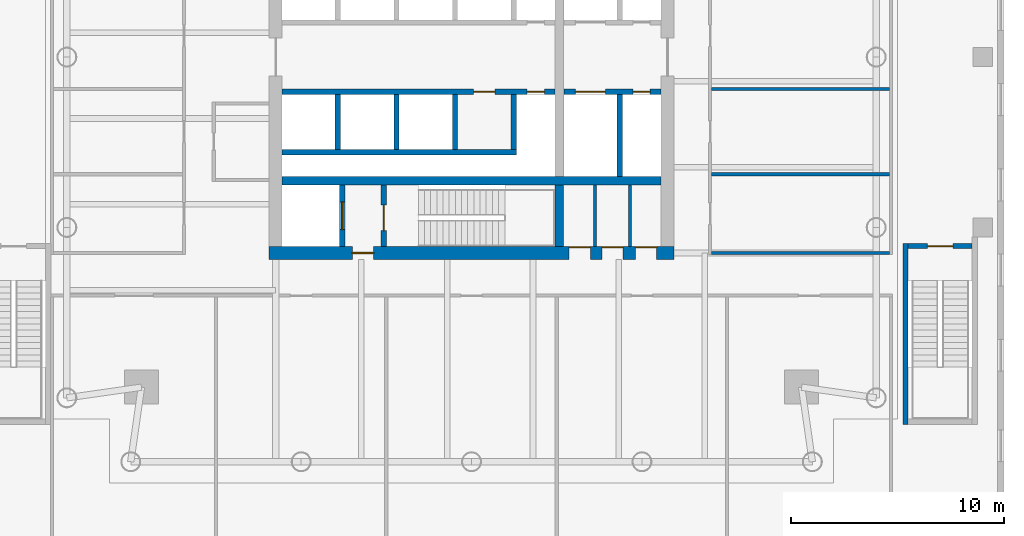
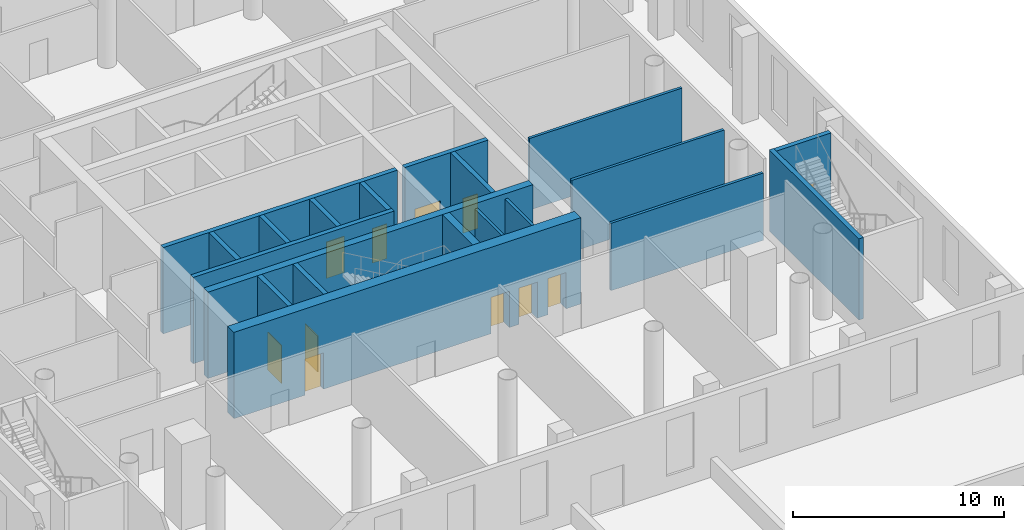
# One storey, part 14 of 23: 20 walls, 11 doors, 11 openings.
"""IFC4 building model written with IfcOpenShell, lengths in metres."""

from ifc_helpers import new_model, si_unit, direction, frame, frame_2d, origin, place, context, subcontext, project, spatial, rectangle, extrude, material, layer, layer_set, type_object, element, fill, save


model = new_model("IFC4")

# Units and contexts
model_context = context("Model", 3, precision=1e-05, world=origin(), true_north=direction((0.0, 1.0)))
body_context = subcontext(model_context, "Body", "Model", "MODEL_VIEW")
ifc_project = project(units=[si_unit("LENGTHUNIT", "METRE"), si_unit("AREAUNIT", "SQUARE_METRE"), si_unit("VOLUMEUNIT", "CUBIC_METRE"), si_unit("PLANEANGLEUNIT", "RADIAN"), si_unit("MASSUNIT", "GRAM", prefix="KILO")], contexts=[model_context])

# Site, building, storey
site_placement = place(None, origin())
site = spatial("IfcSite", under=ifc_project, at=site_placement, CompositionType="ELEMENT")
building_placement = place(site_placement, origin())
building = spatial("IfcBuilding", under=site, at=building_placement, Name="Ostroluk Exchange", CompositionType="ELEMENT")
storey_placement = place(building_placement, frame((0.0, 0.0, 11.0)))
storey = spatial("IfcBuildingStorey", under=building, at=storey_placement, Name="L02", CompositionType="ELEMENT", Elevation=11.0)

# Walls
ifc_material_1 = material(Name="Concrete blockwork", Category="masonry")
ifc_layer_1 = layer(ifc_material_1, 0.14990234375)
ifc_layer_set_1 = layer_set([ifc_layer_1], Name="Blockwork plant room wall 150")
wall_type_1 = type_object("IfcWallType", Name="Blockwork plant room wall 150", PredefinedType="SOLIDWALL", material=ifc_layer_set_1)
for number, where, z_axis, x_axis, name in (
    (1, (122.79248046875, 37.10009765625, 0.0), (0.0, 0.0, 1.0), (0.0, 1.0, 0.0), "Core room wall"),
    (2, (124.4375, 37.10009765625, 0.0), (0.0, 0.0, 1.0), (0.0, 1.0, 0.0), "Core room wall"),
):
    element("IfcWall", number, at=place(storey_placement, frame(where, z_axis=z_axis, x_axis=x_axis)), inside=storey, type_object=wall_type_1, Name=name, PredefinedType="SOLIDWALL", context=body_context, shape_type="SweptSolid", body=[
        extrude(rectangle(XDim=2.89990234375, YDim=0.14990234375, at=frame_2d((1.449951171875, 0.0))), origin(), (0.0, 0.0, 1.0), 4.699951171875),
    ])
ifc_material_2 = material(Name="Concrete blockwork", Category="masonry")
ifc_layer_2 = layer(ifc_material_2, 0.25)
ifc_layer_set_2 = layer_set([ifc_layer_2], Name="Blockwork stair enclosure wall 250")
wall_type_2 = type_object("IfcWallType", Name="Blockwork stair enclosure wall 250", PredefinedType="SOLIDWALL", material=ifc_layer_set_2)
wall_1_placement = place(storey_placement, frame((137.375, 28.75, 0.0), z_axis=(0.0, 0.0, 1.0), x_axis=(0.0, 1.0, 0.0)))
element("IfcWall", 3, at=wall_1_placement, inside=storey, type_object=wall_type_2, Name="Stair PS7 enclosure wall", PredefinedType="SOLIDWALL", context=body_context, shape_type="SweptSolid", body=[
    extrude(rectangle(XDim=8.5, YDim=0.25, at=frame_2d((4.25, 0.0))), origin(), (0.0, 0.0, 1.0), 4.699951171875),
])

# Wall, opening, door
wall_2_placement = place(storey_placement, frame((137.5, 37.125, 0.0), z_axis=(0.0, 0.0, 1.0), x_axis=(1.0, 0.0, 0.0)))
wall_2 = element("IfcWall", 4, at=wall_2_placement, inside=storey, type_object=wall_type_2, Name="Stair PS7 enclosure wall", PredefinedType="SOLIDWALL", context=body_context, shape_type="SweptSolid", body=[
    extrude(rectangle(XDim=3.0, YDim=0.25, at=frame_2d((1.5, 0.0))), origin(), (0.0, 0.0, 1.0), 4.699951171875),
])
opening_1_placement = place(wall_2_placement, frame((0.89990234375, 0.0, 0.0)))
opening_1 = element("IfcOpeningElement", 5, at=opening_1_placement, cuts=wall_2, Name="Opening FD60S", PredefinedType="OPENING", context=body_context, shape_type="SweptSolid", body=[
    extrude(rectangle(XDim=1.199951171875, YDim=2.10009765625, at=frame_2d((0.60009765625, 1.050048828125))), frame((0.0, 0.135009765625, 0.0), z_axis=(0.0, -1.0, 0.0), x_axis=(1.0, 0.0, 0.0)), (0.0, 0.0, 1.0), 0.27001953125),
])
ifc_material_3 = material(Name="Steel", Category="steel")
door_type_1 = type_object("IfcDoorType", Name="Stair door EI 60 1200 x 2100", OperationType="SINGLE_SWING_LEFT", PredefinedType="DOOR", material=ifc_material_3)
door_1_placement = place(opening_1_placement, origin())
door_1 = element("IfcDoor", 6, at=door_1_placement, inside=storey, type_object=door_type_1, Name="Stair PS7 door", OperationType="SINGLE_SWING_LEFT", OverallHeight=2.10009765625, OverallWidth=1.199951171875, PredefinedType="DOOR", context=body_context, shape_type="SweptSolid", body=[
    extrude(rectangle(XDim=1.199951171875, YDim=2.10009765625, at=frame_2d((0.60009765625, 1.050048828125))), frame((0.0, 0.02490234375, 0.0), z_axis=(0.0, -1.0, 0.0), x_axis=(1.0, 0.0, 0.0)), (0.0, 0.0, 1.0), 0.050048828125),
])
fill(opening_1, door_1)

# Walls
ifc_material_4 = material(Name="Concrete C50/60", Category="concrete")
ifc_layer_3 = layer(ifc_material_4, 0.39990234375)
ifc_layer_set_3 = layer_set([ifc_layer_3], Name="Core cross wall 400 C50/60")
wall_type_3 = type_object("IfcWallType", Name="Core cross wall 400 C50/60", PredefinedType="SHEAR", material=ifc_layer_set_3)
wall_3_placement = place(storey_placement, frame((108.10009765625, 40.199951171875, 0.0), z_axis=(0.0, 0.0, 1.0), x_axis=(1.0, 0.0, 0.0)))
element("IfcWall", 7, at=wall_3_placement, inside=storey, type_object=wall_type_3, Name="T2 core wall XS", PredefinedType="SHEAR", context=body_context, shape_type="SweptSolid", body=[
    extrude(rectangle(XDim=17.7998046875, YDim=0.39990234375, at=frame_2d((8.89990234375, 0.0))), origin(), (0.0, 0.0, 1.0), 5.0),
])
wall_4_placement = place(storey_placement, frame((121.1298828125, 37.10009765625, 0.0), z_axis=(0.0, 0.0, 1.0), x_axis=(0.0, 1.0, 0.0)))
element("IfcWall", 8, at=wall_4_placement, inside=storey, type_object=wall_type_3, Name="T2 core wall YE1", PredefinedType="SHEAR", context=body_context, shape_type="SweptSolid", body=[
    extrude(rectangle(XDim=2.89990234375, YDim=0.39990234375, at=frame_2d((1.449951171875, 0.0))), origin(), (0.0, 0.0, 1.0), 5.0),
])

# Wall, opening, door
ifc_material_5 = material(Name="Concrete C40/50", Category="concrete")
ifc_layer_4 = layer(ifc_material_5, 0.25)
ifc_layer_set_4 = layer_set([ifc_layer_4], Name="Core shaft wall 250")
wall_type_4 = type_object("IfcWallType", Name="Core shaft wall 250", PredefinedType="SHEAR", material=ifc_layer_set_4)
wall_5_placement = place(storey_placement, frame((110.925048828125, 37.10009765625, 0.0), z_axis=(0.0, 0.0, 1.0), x_axis=(0.0, 1.0, 0.0)))
wall_5 = element("IfcWall", 9, at=wall_5_placement, inside=storey, type_object=wall_type_4, Name="Firefighting lift shaft wall", PredefinedType="SHEAR", context=body_context, shape_type="SweptSolid", body=[
    extrude(rectangle(XDim=2.89990234375, YDim=0.25, at=frame_2d((1.449951171875, 0.0))), origin(), (0.0, 0.0, 1.0), 5.0),
])
opening_2_placement = place(wall_5_placement, frame((0.800048828125, 0.0, 0.0)))
opening_2 = element("IfcOpeningElement", 10, at=opening_2_placement, cuts=wall_5, Name="Opening LD2", PredefinedType="OPENING", context=body_context, shape_type="SweptSolid", body=[
    extrude(rectangle(XDim=1.300048828125, YDim=2.199951171875, at=frame_2d((0.64990234375, 1.10009765625))), frame((0.0, 0.135009765625, 0.0), z_axis=(0.0, -1.0, 0.0), x_axis=(1.0, 0.0, 0.0)), (0.0, 0.0, 1.0), 0.27001953125),
])
ifc_material_6 = material(Name="Stainless steel", Category="steel")
door_type_2 = type_object("IfcDoorType", Name="Lift landing door E 60 1300 x 2200", OperationType="DOUBLE_DOOR_SLIDING", PredefinedType="DOOR", material=ifc_material_6)
door_2_placement = place(opening_2_placement, origin())
door_2 = element("IfcDoor", 11, at=door_2_placement, inside=storey, type_object=door_type_2, Name="Lift HF1 landing door", OperationType="DOUBLE_DOOR_SLIDING", OverallHeight=2.199951171875, OverallWidth=1.300048828125, PredefinedType="DOOR", context=body_context, shape_type="SweptSolid", body=[
    extrude(rectangle(XDim=1.300048828125, YDim=2.199951171875, at=frame_2d((0.64990234375, 1.10009765625))), frame((0.0, 0.02490234375, 0.0), z_axis=(0.0, -1.0, 0.0), x_axis=(1.0, 0.0, 0.0)), (0.0, 0.0, 1.0), 0.050048828125),
])
fill(opening_2, door_2)

wall_6_placement = place(storey_placement, frame((112.875, 37.10009765625, 0.0), z_axis=(0.0, 0.0, 1.0), x_axis=(0.0, 1.0, 0.0)))
wall_6 = element("IfcWall", 12, at=wall_6_placement, inside=storey, type_object=wall_type_4, Name="Stair shaft wall", PredefinedType="SHEAR", context=body_context, shape_type="SweptSolid", body=[
    extrude(rectangle(XDim=2.89990234375, YDim=0.25, at=frame_2d((1.449951171875, 0.0))), origin(), (0.0, 0.0, 1.0), 5.0),
])
opening_3_placement = place(wall_6_placement, frame((0.75, 0.0, 0.0)))
opening_3 = element("IfcOpeningElement", 13, at=opening_3_placement, cuts=wall_6, Name="Opening FD60S", PredefinedType="OPENING", context=body_context, shape_type="SweptSolid", body=[
    extrude(rectangle(XDim=1.199951171875, YDim=2.10009765625, at=frame_2d((0.60009765625, 1.050048828125))), frame((0.0, 0.135009765625, 0.0), z_axis=(0.0, -1.0, 0.0), x_axis=(1.0, 0.0, 0.0)), (0.0, 0.0, 1.0), 0.27001953125),
])
door_3_placement = place(opening_3_placement, origin())
door_3 = element("IfcDoor", 14, at=door_3_placement, inside=storey, type_object=door_type_1, Name="Stair T2-S1 door", OperationType="SINGLE_SWING_LEFT", OverallHeight=2.10009765625, OverallWidth=1.199951171875, PredefinedType="DOOR", context=body_context, shape_type="SweptSolid", body=[
    extrude(rectangle(XDim=1.199951171875, YDim=2.10009765625, at=frame_2d((0.60009765625, 1.050048828125))), frame((0.0, 0.02490234375, 0.0), z_axis=(0.0, -1.0, 0.0), x_axis=(1.0, 0.0, 0.0)), (0.0, 0.0, 1.0), 0.050048828125),
])
fill(opening_3, door_3)

# Walls
for number, where, z_axis, x_axis, name in (
    (15, (110.72509765625, 44.25, 0.0), (0.0, 0.0, 1.0), (0.0, -1.0, 0.0), "Lift shaft wall"),
    (16, (113.47509765625, 44.25, 0.0), (0.0, 0.0, 1.0), (0.0, -1.0, 0.0), "Lift shaft wall"),
    (17, (116.22509765625, 44.25, 0.0), (0.0, 0.0, 1.0), (0.0, -1.0, 0.0), "Lift shaft wall"),
    (18, (118.97509765625, 44.25, 0.0), (0.0, 0.0, 1.0), (0.0, -1.0, 0.0), "Lift shaft wall"),
):
    element("IfcWall", number, at=place(storey_placement, frame(where, z_axis=z_axis, x_axis=x_axis)), inside=storey, type_object=wall_type_4, Name=name, PredefinedType="SHEAR", context=body_context, shape_type="SweptSolid", body=[
        extrude(rectangle(XDim=2.60009765625, YDim=0.25, at=frame_2d((1.300048828125, 0.0))), origin(), (0.0, 0.0, 1.0), 5.0),
    ])
wall_7_placement = place(storey_placement, frame((108.10009765625, 41.52490234375, 0.0), z_axis=(0.0, 0.0, 1.0), x_axis=(1.0, 0.0, 0.0)))
element("IfcWall", 19, at=wall_7_placement, inside=storey, type_object=wall_type_4, Name="Lift shaft wall", PredefinedType="SHEAR", context=body_context, shape_type="SweptSolid", body=[
    extrude(rectangle(XDim=11.0, YDim=0.25, at=frame_2d((5.5, 0.0))), origin(), (0.0, 0.0, 1.0), 5.0),
])

# Wall, openings, doors
wall_8_placement = place(storey_placement, frame((108.10009765625, 44.375, 0.0), z_axis=(0.0, 0.0, 1.0), x_axis=(1.0, 0.0, 0.0)))
wall_8 = element("IfcWall", 20, at=wall_8_placement, inside=storey, type_object=wall_type_4, Name="Lift shaft front wall", PredefinedType="SHEAR", context=body_context, shape_type="SweptSolid", body=[
    extrude(rectangle(XDim=12.829833984375, YDim=0.25, at=frame_2d((6.4150390625, 0.0))), origin(), (0.0, 0.0, 1.0), 5.0),
])
opening_4_placement = place(wall_8_placement, frame((9.0, 0.0, 0.0)))
opening_4 = element("IfcOpeningElement", 21, at=opening_4_placement, cuts=wall_8, Name="Opening FD60", PredefinedType="OPENING", context=body_context, shape_type="SweptSolid", body=[
    extrude(rectangle(XDim=1.0, YDim=2.10009765625, at=frame_2d((0.5, 1.050048828125))), frame((0.0, 0.135009765625, 0.0), z_axis=(0.0, -1.0, 0.0), x_axis=(1.0, 0.0, 0.0)), (0.0, 0.0, 1.0), 0.27001953125),
])
opening_5_placement = place(wall_8_placement, frame((11.514892578125, 0.0, 0.0)))
opening_5 = element("IfcOpeningElement", 22, at=opening_5_placement, cuts=wall_8, Name="Opening RD60", PredefinedType="OPENING", context=body_context, shape_type="SweptSolid", body=[
    extrude(rectangle(XDim=0.800048828125, YDim=2.0, at=frame_2d((0.39990234375, 1.0))), frame((0.0, 0.135009765625, 0.0), z_axis=(0.0, -1.0, 0.0), x_axis=(1.0, 0.0, 0.0)), (0.0, 0.0, 1.0), 0.27001953125),
])
ifc_material_7 = material(Name="Steel", Category="steel")
door_type_3 = type_object("IfcDoorType", Name="Fire door EI 60 1000 x 2100", OperationType="SINGLE_SWING_LEFT", PredefinedType="DOOR", material=ifc_material_7)
door_4_placement = place(opening_4_placement, origin())
door_4 = element("IfcDoor", 23, at=door_4_placement, inside=storey, type_object=door_type_3, Name="Core room door", OperationType="SINGLE_SWING_RIGHT", OverallHeight=2.10009765625, OverallWidth=1.0, PredefinedType="DOOR", context=body_context, shape_type="SweptSolid", body=[
    extrude(rectangle(XDim=1.0, YDim=2.10009765625, at=frame_2d((0.5, 1.050048828125))), frame((0.0, 0.02490234375, 0.0), z_axis=(0.0, -1.0, 0.0), x_axis=(1.0, 0.0, 0.0)), (0.0, 0.0, 1.0), 0.050048828125),
])
fill(opening_4, door_4)
ifc_material_8 = material(Name="Steel", Category="steel")
door_type_4 = type_object("IfcDoorType", Name="Riser access door EI 60 800 x 2000", OperationType="SINGLE_SWING_LEFT", PredefinedType="DOOR", material=ifc_material_8)
door_5_placement = place(opening_5_placement, origin())
door_5 = element("IfcDoor", 24, at=door_5_placement, inside=storey, type_object=door_type_4, Name="Riser access door", OperationType="SINGLE_SWING_RIGHT", OverallHeight=2.0, OverallWidth=0.800048828125, PredefinedType="DOOR", context=body_context, shape_type="SweptSolid", body=[
    extrude(rectangle(XDim=0.800048828125, YDim=2.0, at=frame_2d((0.39990234375, 1.0))), frame((0.0, 0.02490234375, 0.0), z_axis=(0.0, -1.0, 0.0), x_axis=(1.0, 0.0, 0.0)), (0.0, 0.0, 1.0), 0.050048828125),
])
fill(opening_5, door_5)

# Wall
wall_9_placement = place(storey_placement, frame((123.955078125, 44.25, 0.0), z_axis=(0.0, 0.0, 1.0), x_axis=(0.0, -1.0, 0.0)))
element("IfcWall", 25, at=wall_9_placement, inside=storey, type_object=wall_type_4, Name="Lift shaft wall", PredefinedType="SHEAR", context=body_context, shape_type="SweptSolid", body=[
    extrude(rectangle(XDim=3.85009765625, YDim=0.25, at=frame_2d((1.925048828125, 0.0))), origin(), (0.0, 0.0, 1.0), 5.0),
])

# Wall, openings, doors
wall_10_placement = place(storey_placement, frame((121.330078125, 44.375, 0.0), z_axis=(0.0, 0.0, 1.0), x_axis=(1.0, 0.0, 0.0)))
wall_10 = element("IfcWall", 26, at=wall_10_placement, inside=storey, type_object=wall_type_4, Name="Lift shaft front wall", PredefinedType="SHEAR", context=body_context, shape_type="SweptSolid", body=[
    extrude(rectangle(XDim=4.56982421875, YDim=0.25, at=frame_2d((2.284912109375, 0.0))), origin(), (0.0, 0.0, 1.0), 5.0),
])
opening_6_placement = place(wall_10_placement, frame((0.550048828125, 0.0, 0.0)))
opening_6 = element("IfcOpeningElement", 27, at=opening_6_placement, cuts=wall_10, Name="Opening LD3", PredefinedType="OPENING", context=body_context, shape_type="SweptSolid", body=[
    extrude(rectangle(XDim=1.39990234375, YDim=2.39990234375, at=frame_2d((0.699951171875, 1.199951171875))), frame((0.0, 0.135009765625, 0.0), z_axis=(0.0, -1.0, 0.0), x_axis=(1.0, 0.0, 0.0)), (0.0, 0.0, 1.0), 0.27001953125),
])
opening_7_placement = place(wall_10_placement, frame((3.260009765625, 0.0, 0.0)))
opening_7 = element("IfcOpeningElement", 28, at=opening_7_placement, cuts=wall_10, Name="Opening RD60", PredefinedType="OPENING", context=body_context, shape_type="SweptSolid", body=[
    extrude(rectangle(XDim=0.800048828125, YDim=2.0, at=frame_2d((0.39990234375, 1.0))), frame((0.0, 0.135009765625, 0.0), z_axis=(0.0, -1.0, 0.0), x_axis=(1.0, 0.0, 0.0)), (0.0, 0.0, 1.0), 0.27001953125),
])
ifc_material_9 = material(Name="Stainless steel", Category="steel")
door_type_5 = type_object("IfcDoorType", Name="Goods lift landing door E 60 1400 x 2400", OperationType="DOUBLE_DOOR_SLIDING", PredefinedType="DOOR", material=ifc_material_9)
door_6_placement = place(opening_6_placement, origin())
door_6 = element("IfcDoor", 29, at=door_6_placement, inside=storey, type_object=door_type_5, Name="Lift HS2 landing door", OperationType="DOUBLE_DOOR_SLIDING", OverallHeight=2.39990234375, OverallWidth=1.39990234375, PredefinedType="DOOR", context=body_context, shape_type="SweptSolid", body=[
    extrude(rectangle(XDim=1.39990234375, YDim=2.39990234375, at=frame_2d((0.699951171875, 1.199951171875))), frame((0.0, 0.02490234375, 0.0), z_axis=(0.0, -1.0, 0.0), x_axis=(1.0, 0.0, 0.0)), (0.0, 0.0, 1.0), 0.050048828125),
])
fill(opening_6, door_6)
door_7_placement = place(opening_7_placement, origin())
door_7 = element("IfcDoor", 30, at=door_7_placement, inside=storey, type_object=door_type_4, Name="Riser access door", OperationType="SINGLE_SWING_RIGHT", OverallHeight=2.0, OverallWidth=0.800048828125, PredefinedType="DOOR", context=body_context, shape_type="SweptSolid", body=[
    extrude(rectangle(XDim=0.800048828125, YDim=2.0, at=frame_2d((0.39990234375, 1.0))), frame((0.0, 0.02490234375, 0.0), z_axis=(0.0, -1.0, 0.0), x_axis=(1.0, 0.0, 0.0)), (0.0, 0.0, 1.0), 0.050048828125),
])
fill(opening_7, door_7)

ifc_material_10 = material(Name="Concrete C50/60", Category="concrete")
ifc_layer_5 = layer(ifc_material_10, 0.60009765625)
ifc_layer_set_5 = layer_set([ifc_layer_5], Name="Core wall 600 C50/60")
wall_type_5 = type_object("IfcWallType", Name="Core wall 600 C50/60", PredefinedType="SHEAR", material=ifc_layer_set_5)
wall_11_placement = place(storey_placement, frame((107.5, 36.800048828125, 0.0), z_axis=(0.0, 0.0, 1.0), x_axis=(1.0, 0.0, 0.0)))
wall_11 = element("IfcWall", 31, at=wall_11_placement, inside=storey, type_object=wall_type_5, Name="T2 core wall S", PredefinedType="SHEAR", context=body_context, shape_type="SweptSolid", body=[
    extrude(rectangle(XDim=19.0, YDim=0.60009765625, at=frame_2d((9.5, 0.0))), origin(), (0.0, 0.0, 1.0), 5.0),
])
opening_8_placement = place(wall_11_placement, frame((3.89990234375, 0.0, 0.0)))
opening_8 = element("IfcOpeningElement", 32, at=opening_8_placement, cuts=wall_11, Name="Opening FD60", PredefinedType="OPENING", context=body_context, shape_type="SweptSolid", body=[
    extrude(rectangle(XDim=1.0, YDim=2.10009765625, at=frame_2d((0.5, 1.050048828125))), frame((0.0, 0.31005859375, 0.0), z_axis=(0.0, -1.0, 0.0), x_axis=(1.0, 0.0, 0.0)), (0.0, 0.0, 1.0), 0.6201171875),
])
opening_9_placement = place(wall_11_placement, frame((14.080078125, 0.0, 0.0)))
opening_9 = element("IfcOpeningElement", 33, at=opening_9_placement, cuts=wall_11, Name="Opening FD60", PredefinedType="OPENING", context=body_context, shape_type="SweptSolid", body=[
    extrude(rectangle(XDim=1.0, YDim=2.10009765625, at=frame_2d((0.5, 1.050048828125))), frame((0.0, 0.31005859375, 0.0), z_axis=(0.0, -1.0, 0.0), x_axis=(1.0, 0.0, 0.0)), (0.0, 0.0, 1.0), 0.6201171875),
])
opening_10_placement = place(wall_11_placement, frame((15.614990234375, 0.0, 0.0)))
opening_10 = element("IfcOpeningElement", 34, at=opening_10_placement, cuts=wall_11, Name="Opening FD60", PredefinedType="OPENING", context=body_context, shape_type="SweptSolid", body=[
    extrude(rectangle(XDim=1.0, YDim=2.10009765625, at=frame_2d((0.5, 1.050048828125))), frame((0.0, 0.31005859375, 0.0), z_axis=(0.0, -1.0, 0.0), x_axis=(1.0, 0.0, 0.0)), (0.0, 0.0, 1.0), 0.6201171875),
])
opening_11_placement = place(wall_11_placement, frame((17.1875, 0.0, 0.0)))
opening_11 = element("IfcOpeningElement", 35, at=opening_11_placement, cuts=wall_11, Name="Opening FD60", PredefinedType="OPENING", context=body_context, shape_type="SweptSolid", body=[
    extrude(rectangle(XDim=1.0, YDim=2.10009765625, at=frame_2d((0.5, 1.050048828125))), frame((0.0, 0.31005859375, 0.0), z_axis=(0.0, -1.0, 0.0), x_axis=(1.0, 0.0, 0.0)), (0.0, 0.0, 1.0), 0.6201171875),
])
door_8_placement = place(opening_8_placement, origin())
door_8 = element("IfcDoor", 36, at=door_8_placement, inside=storey, type_object=door_type_3, Name="Firefighting lobby door", OperationType="SINGLE_SWING_LEFT", OverallHeight=2.10009765625, OverallWidth=1.0, PredefinedType="DOOR", context=body_context, shape_type="SweptSolid", body=[
    extrude(rectangle(XDim=1.0, YDim=2.10009765625, at=frame_2d((0.5, 1.050048828125))), frame((0.0, 0.02490234375, 0.0), z_axis=(0.0, -1.0, 0.0), x_axis=(1.0, 0.0, 0.0)), (0.0, 0.0, 1.0), 0.050048828125),
])
fill(opening_8, door_8)
door_9_placement = place(opening_9_placement, origin())
door_9 = element("IfcDoor", 37, at=door_9_placement, inside=storey, type_object=door_type_3, Name="Cleaner's store door", OperationType="SINGLE_SWING_RIGHT", OverallHeight=2.10009765625, OverallWidth=1.0, PredefinedType="DOOR", context=body_context, shape_type="SweptSolid", body=[
    extrude(rectangle(XDim=1.0, YDim=2.10009765625, at=frame_2d((0.5, 1.050048828125))), frame((0.0, 0.2900390625, 0.0), z_axis=(0.0, -1.0, 0.0), x_axis=(1.0, 0.0, 0.0)), (0.0, 0.0, 1.0), 0.050048828125),
])
fill(opening_9, door_9)
door_10_placement = place(opening_10_placement, origin())
door_10 = element("IfcDoor", 38, at=door_10_placement, inside=storey, type_object=door_type_3, Name="Waste store door", OperationType="SINGLE_SWING_RIGHT", OverallHeight=2.10009765625, OverallWidth=1.0, PredefinedType="DOOR", context=body_context, shape_type="SweptSolid", body=[
    extrude(rectangle(XDim=1.0, YDim=2.10009765625, at=frame_2d((0.5, 1.050048828125))), frame((0.0, 0.2900390625, 0.0), z_axis=(0.0, -1.0, 0.0), x_axis=(1.0, 0.0, 0.0)), (0.0, 0.0, 1.0), 0.050048828125),
])
fill(opening_10, door_10)
door_11_placement = place(opening_11_placement, origin())
door_11 = element("IfcDoor", 39, at=door_11_placement, inside=storey, type_object=door_type_3, Name="Security equipment store door", OperationType="SINGLE_SWING_RIGHT", OverallHeight=2.10009765625, OverallWidth=1.0, PredefinedType="DOOR", context=body_context, shape_type="SweptSolid", body=[
    extrude(rectangle(XDim=1.0, YDim=2.10009765625, at=frame_2d((0.5, 1.050048828125))), frame((0.0, 0.2900390625, 0.0), z_axis=(0.0, -1.0, 0.0), x_axis=(1.0, 0.0, 0.0)), (0.0, 0.0, 1.0), 0.050048828125),
])
fill(opening_11, door_11)

# Walls
ifc_material_11 = material(Name="Gypsum plasterboard partition", Category="gypsum")
ifc_layer_6 = layer(ifc_material_11, 0.14990234375)
ifc_layer_set_6 = layer_set([ifc_layer_6], Name="Plasterboard partition 150")
wall_type_6 = type_object("IfcWallType", Name="Plasterboard partition 150", PredefinedType="PARTITIONING", material=ifc_layer_set_6)
wall_12_placement = place(storey_placement, frame((128.27490234375, 36.800048828125, 0.0), z_axis=(0.0, 0.0, 1.0), x_axis=(1.0, 0.0, 0.0)))
element("IfcWall", 40, at=wall_12_placement, inside=storey, type_object=wall_type_6, Name="Partition", PredefinedType="PARTITIONING", context=body_context, shape_type="SweptSolid", body=[
    extrude(rectangle(XDim=8.35009765625, YDim=0.14990234375, at=frame_2d((4.175048828125, 0.0))), origin(), (0.0, 0.0, 1.0), 3.89990234375),
])
for number, where, z_axis, x_axis, name in (
    (41, (128.27490234375, 40.5, 0.0), (0.0, 0.0, 1.0), (1.0, 0.0, 0.0), "Partition"),
    (42, (128.27490234375, 44.5, 0.0), (0.0, 0.0, 1.0), (1.0, 0.0, 0.0), "Partition"),
):
    element("IfcWall", number, at=place(storey_placement, frame(where, z_axis=z_axis, x_axis=x_axis)), inside=storey, type_object=wall_type_6, Name=name, PredefinedType="PARTITIONING", context=body_context, shape_type="SweptSolid", body=[
        extrude(rectangle(XDim=8.35009765625, YDim=0.14990234375, at=frame_2d((4.175048828125, 0.0))), origin(), (0.0, 0.0, 1.0), 4.14990234375),
    ])

save(model, "model.ifc")
